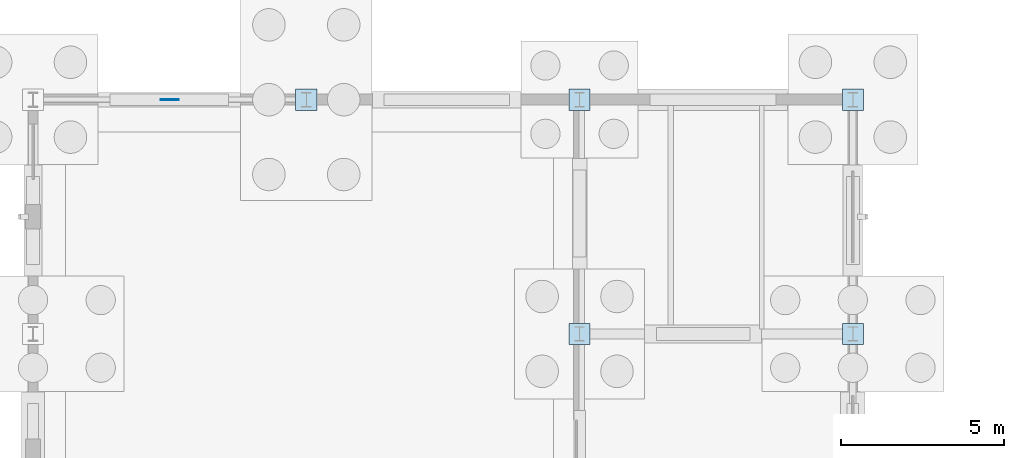
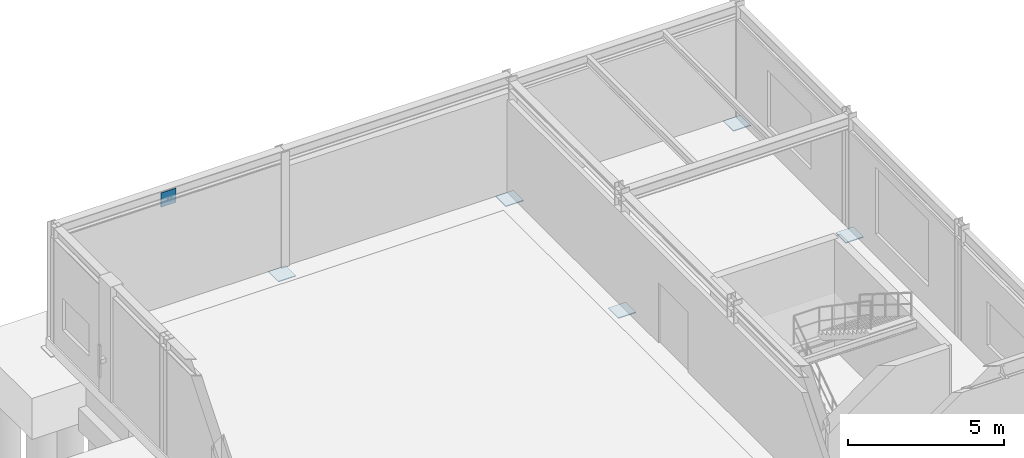
# One storey, part 53 of 93: 6 plates.
"""IFC4 building model written with IfcOpenShell, lengths in metres."""

from ifc_helpers import new_model, si_unit, derived_unit, direction, frame, origin, origin_2d, place, context, subcontext, project, spatial, rectangle, extrude, material, layer, layer_set, type_object, element, save


model = new_model("IFC4")

# Units and contexts
model_context = context("Model", 3, precision=1e-05, world=origin(), true_north=direction((0.0, 1.0)))
body_context = subcontext(model_context, "Body", "Model", "MODEL_VIEW")
ifc_project = project(units=[si_unit("LENGTHUNIT", "METRE"), si_unit("AREAUNIT", "SQUARE_METRE"), si_unit("VOLUMEUNIT", "CUBIC_METRE"), si_unit("PLANEANGLEUNIT", "RADIAN"), si_unit("MASSUNIT", "GRAM", prefix="KILO"), derived_unit("THERMALTRANSMITTANCEUNIT", [(si_unit("MASSUNIT", "GRAM", prefix="KILO"), 1), (si_unit("TIMEUNIT", "SECOND"), -3), (si_unit("THERMODYNAMICTEMPERATUREUNIT", "KELVIN"), -1)])], contexts=[model_context])

# Site, building, storey
site_placement = place(None, origin())
site = spatial("IfcSite", under=ifc_project, at=site_placement, CompositionType="ELEMENT")
building_placement = place(site_placement, origin())
building = spatial("IfcBuilding", under=site, at=building_placement, Name="Kharveza Railside Sports Centre", CompositionType="ELEMENT")
storey_placement = place(building_placement, origin())
storey = spatial("IfcBuildingStorey", under=building, at=storey_placement, Name="L00", CompositionType="ELEMENT", Elevation=0.0)

# Plates
ifc_material = material(Name="Steel S355J2", Category="steel")
ifc_layer_1 = layer(ifc_material, 0.028076171875, Name="Steel S355J2")
ifc_layer_set_1 = layer_set([ifc_layer_1], Name="Steel S355J2")
plate_type_1 = type_object("IfcPlateType", Name="PL-GS05", PredefinedType="USERDEFINED", material=ifc_layer_set_1)
plate_placement = place(storey_placement, frame((4.199951171875, 108.0, 3.77001953125), z_axis=(0.0, 0.0, 1.0), x_axis=(1.0, 0.0, 0.0)))
element("IfcPlate", 1, at=plate_placement, inside=storey, type_object=plate_type_1, Name="PLT-GS-CHEV-010", ObjectType="GUSSET_PLATE", PredefinedType="USERDEFINED", context=body_context, shape_type="SweptSolid", body=[
    extrude(rectangle(XDim=0.56005859375, YDim=0.028076171875, at=origin_2d()), origin(), (0.0, 0.0, 1.0), 0.56005859375),
])
ifc_layer_2 = layer(ifc_material, 0.034912109375, Name="Steel S355J2")
ifc_layer_set_2 = layer_set([ifc_layer_2], Name="Steel S355J2")
plate_type_2 = type_object("IfcPlateType", Name="PL-GS06", PredefinedType="USERDEFINED", material=ifc_layer_set_2)
for number, where, z_axis, x_axis, name in (
    (2, (8.39990234375, 108.0, -0.419921875), (0.0, 0.0, 1.0), (1.0, 0.0, 0.0), "PLT-BP-06"),
    (3, (16.800048828125, 100.800048828125, -0.419921875), (0.0, 0.0, 1.0), (1.0, 0.0, 0.0), "PLT-BP-12"),
    (4, (16.800048828125, 108.0, -0.419921875), (0.0, 0.0, 1.0), (1.0, 0.0, 0.0), "PLT-BP-13"),
    (5, (25.199951171875, 100.800048828125, -0.419921875), (0.0, 0.0, 1.0), (1.0, 0.0, 0.0), "PLT-BP-19"),
    (6, (25.199951171875, 108.0, -0.419921875), (0.0, 0.0, 1.0), (1.0, 0.0, 0.0), "PLT-BP-20"),
):
    element("IfcPlate", number, at=place(storey_placement, frame(where, z_axis=z_axis, x_axis=x_axis)), inside=storey, type_object=plate_type_2, Name=name, ObjectType="GUSSET_PLATE", PredefinedType="USERDEFINED", context=body_context, shape_type="SweptSolid", body=[
        extrude(rectangle(XDim=0.64990234375, YDim=0.64990234375, at=origin_2d()), origin(), (0.0, 0.0, 1.0), 0.034912109375),
    ])

save(model, "model.ifc")
